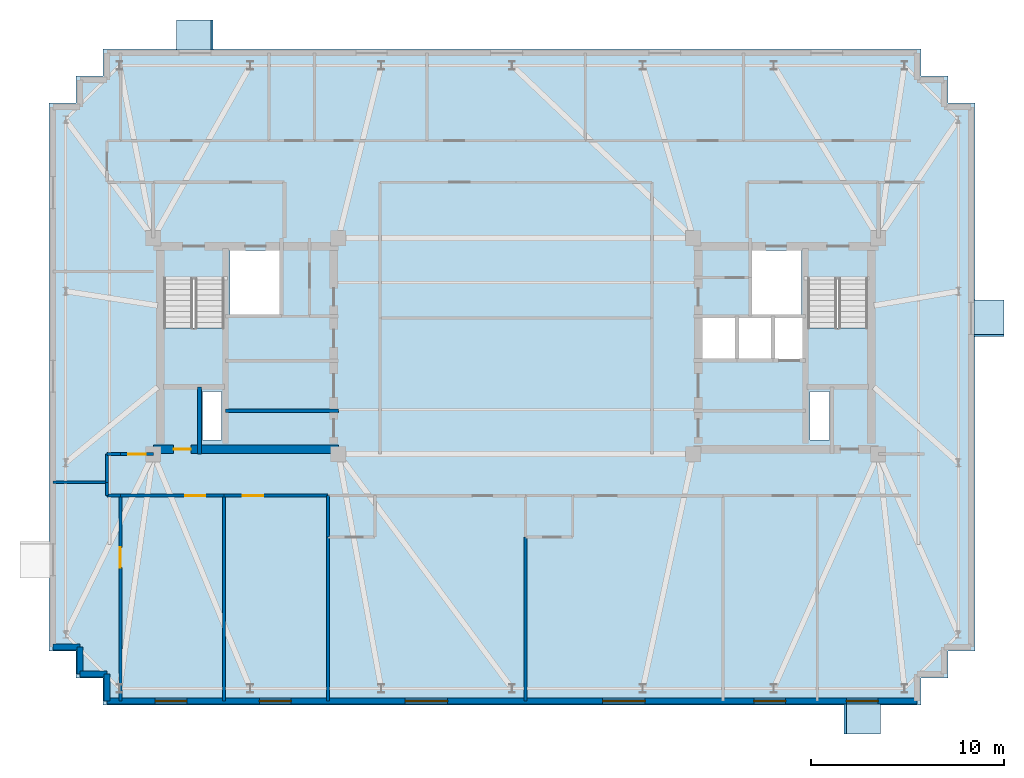
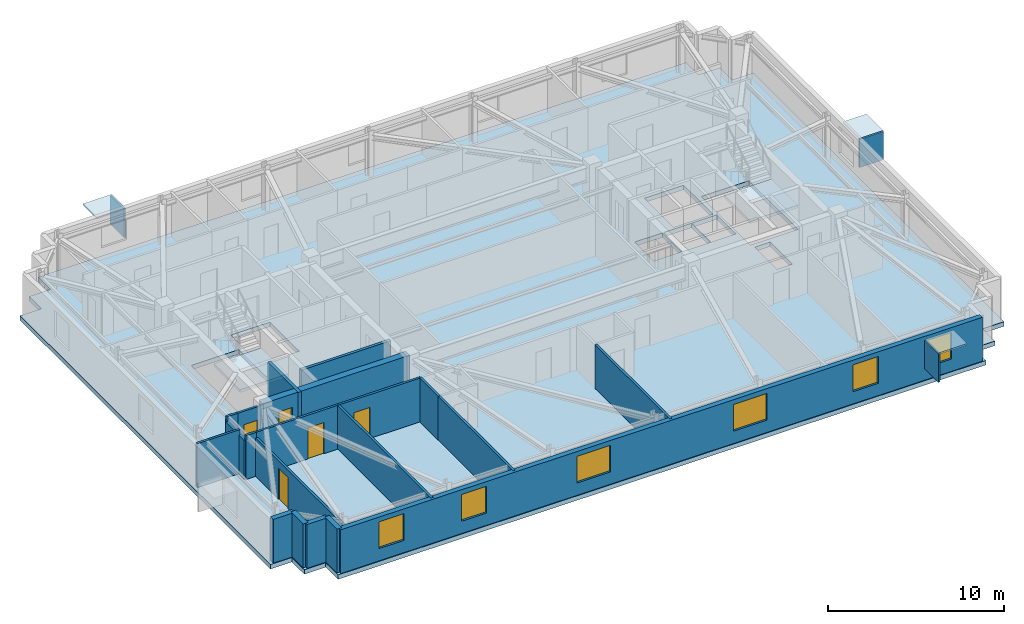
# One storey, part 5 of 11: 21 walls, 6 plates, 6 windows, 5 doors, 3 slabs, 11 openings, 2 elements without a shape of their own.
"""IFC4 building model written with IfcOpenShell, lengths in metres."""

from ifc_helpers import new_model, si_unit, direction, frame, frame_2d, origin, origin_2d, place, context, subcontext, project, spatial, polyline, rectangle, outline, extrude, material, layer, layer_set, type_object, element, fill, aggregate, save


model = new_model("IFC4")

# Units and contexts
model_context = context("Model", 3, precision=1e-05, world=origin(), true_north=direction((0.0, 1.0)))
body_context = subcontext(model_context, "Body", "Model", "MODEL_VIEW")
ifc_project = project(units=[si_unit("LENGTHUNIT", "METRE"), si_unit("AREAUNIT", "SQUARE_METRE"), si_unit("VOLUMEUNIT", "CUBIC_METRE"), si_unit("PLANEANGLEUNIT", "RADIAN"), si_unit("MASSUNIT", "GRAM", prefix="KILO")], contexts=[model_context])

# Site, building, storey
site_placement = place(None, origin())
site = spatial("IfcSite", under=ifc_project, at=site_placement, CompositionType="ELEMENT")
building_placement = place(site_placement, origin())
building = spatial("IfcBuilding", under=site, at=building_placement, Name="Qobustan Lattice House", CompositionType="ELEMENT")
storey_placement = place(building_placement, frame((0.0, 0.0, 258.449951171875)))
storey = spatial("IfcBuildingStorey", under=building, at=storey_placement, Name="L73", CompositionType="ELEMENT", Elevation=258.449951171875)

# Plates
ifc_material_1 = material(Name="Qobustan limestone GFRC", Category="masonry")
ifc_layer_1 = layer(ifc_material_1, 0.1201171875)
ifc_layer_set_1 = layer_set([ifc_layer_1], Name="Qobustan limestone GFRC")
plate_type = type_object("IfcPlateType", Name="SHD-HOOD-BROW", PredefinedType="USERDEFINED", material=ifc_layer_set_1)
plate_1_placement = place(storey_placement, frame((-16.639892578125, 16.1298828125, 2.699951171875), z_axis=(0.0, 0.0, 1.0), x_axis=(1.0, 0.0, 0.0)))
element("IfcPlate", 1, at=plate_1_placement, inside=storey, type_object=plate_type, Name="L73 splayed Qobustan stone hood brow", ObjectType="SUNSHADE", PredefinedType="USERDEFINED", context=body_context, shape_type="SweptSolid", body=[
    extrude(rectangle(XDim=1.889892578125, YDim=1.56005859375, at=origin_2d()), origin(), (0.0, 0.0, 1.0), 0.1201171875),
])
plate_2_placement = place(storey_placement, frame((-15.7548828125, 16.1298828125, 0.7900390625), z_axis=(0.0, 0.0, 1.0), x_axis=(1.0, 0.0, 0.0)))
element("IfcPlate", 2, at=plate_2_placement, inside=storey, type_object=plate_type, Name="L73 splayed Qobustan stone hood cheek", ObjectType="SUNSHADE", PredefinedType="USERDEFINED", context=body_context, shape_type="SweptSolid", body=[
    extrude(rectangle(XDim=0.1201171875, YDim=1.56005859375, at=origin_2d()), origin(), (0.0, 0.0, 1.0), 1.969970703125),
])
plate_3_placement = place(storey_placement, frame((24.530029296875, 1.43994140625, 2.699951171875), z_axis=(0.0, 0.0, 1.0), x_axis=(0.0, -1.0, 0.0)))
element("IfcPlate", 3, at=plate_3_placement, inside=storey, type_object=plate_type, Name="L73 splayed Qobustan stone hood brow", ObjectType="SUNSHADE", PredefinedType="USERDEFINED", context=body_context, shape_type="SweptSolid", body=[
    extrude(rectangle(XDim=1.889892578125, YDim=1.56005859375, at=origin_2d()), origin(), (0.0, 0.0, 1.0), 0.1201171875),
])
plate_4_placement = place(storey_placement, frame((24.530029296875, 0.554931640625, 0.7900390625), z_axis=(0.0, 0.0, 1.0), x_axis=(0.0, -1.0, 0.0)))
element("IfcPlate", 4, at=plate_4_placement, inside=storey, type_object=plate_type, Name="L73 splayed Qobustan stone hood cheek", ObjectType="SUNSHADE", PredefinedType="USERDEFINED", context=body_context, shape_type="SweptSolid", body=[
    extrude(rectangle(XDim=0.1201171875, YDim=1.56005859375, at=origin_2d()), origin(), (0.0, 0.0, 1.0), 1.969970703125),
])
plate_5_placement = place(storey_placement, frame((17.9599609375, -19.330078125, 2.699951171875), z_axis=(0.0, 0.0, 1.0), x_axis=(-1.0, 0.0, 0.0)))
element("IfcPlate", 5, at=plate_5_placement, inside=storey, type_object=plate_type, Name="L73 splayed Qobustan stone hood brow", ObjectType="SUNSHADE", PredefinedType="USERDEFINED", context=body_context, shape_type="SweptSolid", body=[
    extrude(rectangle(XDim=1.889892578125, YDim=1.56005859375, at=origin_2d()), origin(), (0.0, 0.0, 1.0), 0.1201171875),
])
plate_6_placement = place(storey_placement, frame((17.074951171875, -19.330078125, 0.7900390625), z_axis=(0.0, 0.0, 1.0), x_axis=(-1.0, 0.0, 0.0)))
element("IfcPlate", 6, at=plate_6_placement, inside=storey, type_object=plate_type, Name="L73 splayed Qobustan stone hood cheek", ObjectType="SUNSHADE", PredefinedType="USERDEFINED", context=body_context, shape_type="SweptSolid", body=[
    extrude(rectangle(XDim=0.1201171875, YDim=1.56005859375, at=origin_2d()), origin(), (0.0, 0.0, 1.0), 1.969970703125),
])

# Slab
ifc_material_2 = material(Name="Concrete C40/50", Category="concrete")
ifc_layer_2 = layer(ifc_material_2, 0.31005859375)
ifc_layer_set_2 = layer_set([ifc_layer_2], Name="Concrete C40/50")
slab_type_1 = type_object("IfcSlabType", Name="SLB-FLR-310", PredefinedType="FLOOR", material=ifc_layer_set_2)
slab_1_placement = place(storey_placement, frame((0.0, 0.0, -0.31005859375)))
element("IfcSlab", 7, at=slab_1_placement, inside=storey, type_object=slab_type_1, Name="L73 structural floor slab", PredefinedType="FLOOR", context=body_context, shape_type="SweptSolid", body=[
    extrude(outline(polyline([(-21.39990234375, -18.60009765625), (21.0, -18.60009765625), (21.0, -17.199951171875), (22.39990234375, -17.199951171875), (22.39990234375, -15.800048828125), (23.800048828125, -15.800048828125), (23.800048828125, 12.60009765625), (22.39990234375, 12.60009765625), (22.39990234375, 14.0), (21.0, 14.0), (21.0, 15.39990234375), (-21.39990234375, 15.39990234375), (-21.39990234375, 14.0), (-22.800048828125, 14.0), (-22.800048828125, 12.60009765625), (-24.199951171875, 12.60009765625), (-24.199951171875, -15.800048828125), (-22.800048828125, -15.800048828125), (-22.800048828125, -17.199951171875), (-21.39990234375, -17.199951171875), (-21.39990234375, -18.60009765625)]), holes=[polyline([(-18.25, -2.050048828125), (-18.25, 3.489990234375), (-15.1298828125, 3.489990234375), (-15.1298828125, -2.050048828125), (-18.25, -2.050048828125)]), polyline([(15.1298828125, -2.050048828125), (15.1298828125, 3.489990234375), (18.25, 3.489990234375), (18.25, -2.050048828125), (15.1298828125, -2.050048828125)]), polyline([(-14.820068359375, 1.64990234375), (-14.820068359375, 4.9599609375), (-12.25, 4.9599609375), (-12.25, 1.64990234375), (-14.820068359375, 1.64990234375)]), polyline([(12.25, 1.64990234375), (12.25, 4.9599609375), (14.820068359375, 4.9599609375), (14.820068359375, 1.64990234375), (12.25, 1.64990234375)]), polyline([(-16.260009765625, -4.8798828125), (-16.260009765625, -2.360107421875), (-15.260009765625, -2.360107421875), (-15.260009765625, -4.8798828125), (-16.260009765625, -4.8798828125)]), polyline([(15.260009765625, -4.8798828125), (15.260009765625, -2.360107421875), (16.260009765625, -2.360107421875), (16.260009765625, -4.8798828125), (15.260009765625, -4.8798828125)]), polyline([(13.360107421875, -0.679931640625), (13.360107421875, 1.47998046875), (14.97998046875, 1.47998046875), (14.97998046875, -0.679931640625), (13.360107421875, -0.679931640625)]), polyline([(9.6201171875, -0.679931640625), (9.6201171875, 1.47998046875), (11.43994140625, 1.47998046875), (11.43994140625, -0.679931640625), (9.6201171875, -0.679931640625)]), polyline([(11.5, -0.679931640625), (11.5, 1.47998046875), (13.320068359375, 1.47998046875), (13.320068359375, -0.679931640625), (11.5, -0.679931640625)])]), origin(), (0.0, 0.0, 1.0), 0.31005859375),
])

# Stair, slab
ifc_material_3 = material(Name="Concrete C40/50", Category="concrete")
stair_type = type_object("IfcStairType", Name="STR-CORE-DOGLEG", PredefinedType="HALF_TURN_STAIR", material=ifc_material_3)
stair_1_placement = place(storey_placement, origin())
stair_1 = element("IfcStair", 8, at=stair_1_placement, inside=storey, type_object=stair_type, Name="L73 West protected exit stair ST-W1", PredefinedType="HALF_TURN_STAIR")
ifc_material_4 = material(Name="Concrete C40/50", Category="concrete")
ifc_layer_3 = layer(ifc_material_4, 0.199951171875)
ifc_layer_set_3 = layer_set([ifc_layer_3], Name="Concrete C40/50")
slab_type_2 = type_object("IfcSlabType", Name="SLB-LANDING-200", PredefinedType="LANDING", material=ifc_layer_set_3)
slab_2_placement = place(storey_placement, frame((0.0, 0.0, 1.47509765625)))
slab_2 = element("IfcSlab", 9, at=slab_2_placement, type_object=slab_type_2, Name="ST-W1 landing 1", PredefinedType="LANDING", context=body_context, shape_type="SweptSolid", body=[
    extrude(outline(polyline([(-18.25, 0.93505859375), (-18.25, -2.050048828125), (-15.1298828125, -2.050048828125), (-15.1298828125, 0.93505859375), (-18.25, 0.93505859375)])), origin(), (0.0, 0.0, 1.0), 0.199951171875),
])
aggregate(stair_1, [slab_2])

stair_2_placement = place(storey_placement, origin())
stair_2 = element("IfcStair", 10, at=stair_2_placement, inside=storey, type_object=stair_type, Name="L73 East protected exit stair ST-E1", PredefinedType="HALF_TURN_STAIR")
slab_3_placement = place(storey_placement, frame((0.0, 0.0, 1.47509765625)))
slab_3 = element("IfcSlab", 11, at=slab_3_placement, type_object=slab_type_2, Name="ST-E1 landing 1", PredefinedType="LANDING", context=body_context, shape_type="SweptSolid", body=[
    extrude(outline(polyline([(15.1298828125, 0.93505859375), (15.1298828125, -2.050048828125), (18.25, -2.050048828125), (18.25, 0.93505859375), (15.1298828125, 0.93505859375)])), origin(), (0.0, 0.0, 1.0), 0.199951171875),
])
aggregate(stair_2, [slab_3])

# Wall, opening, door
ifc_material_5 = material(Name="Concrete C50/60", Category="concrete")
ifc_layer_4 = layer(ifc_material_5, 0.43994140625)
ifc_layer_set_4 = layer_set([ifc_layer_4], Name="Concrete C50/60")
wall_type_1 = type_object("IfcWallType", Name="WAL-CORE-440", PredefinedType="SHEAR", material=ifc_layer_set_4)
wall_1_placement = place(storey_placement, frame((-18.800048828125, -5.35009765625, 0.0), z_axis=(0.0, 0.0, 1.0), x_axis=(1.0, 0.0, 0.0)))
wall_1 = element("IfcWall", 12, at=wall_1_placement, inside=storey, type_object=wall_type_1, Name="L73 split-core shear wall CW-S", PredefinedType="SHEAR", context=body_context, shape_type="SweptSolid", body=[
    extrude(rectangle(XDim=9.60009765625, YDim=0.43994140625, at=frame_2d((4.800048828125, 0.0))), origin(), (0.0, 0.0, 1.0), 3.030029296875),
])
opening_1_placement = place(wall_1_placement, frame((1.050048828125, 0.0, 0.0)))
opening_1 = element("IfcOpeningElement", 13, at=opening_1_placement, cuts=wall_1, Name="Opening RD-01", PredefinedType="OPENING", context=body_context, shape_type="SweptSolid", body=[
    extrude(rectangle(XDim=0.89990234375, YDim=2.10009765625, at=frame_2d((0.449951171875, 1.050048828125))), frame((0.0, 0.22998046875, 0.0), z_axis=(0.0, -1.0, 0.0), x_axis=(1.0, 0.0, 0.0)), (0.0, 0.0, 1.0), 0.4599609375),
])
ifc_material_6 = material(Name="Persian walnut timber and steel frame door", Category="steel")
door_type_1 = type_object("IfcDoorType", Name="DOR-RISER-FD-900x2100", OperationType="NOTDEFINED", PredefinedType="DOOR", material=ifc_material_6)
door_1_placement = place(opening_1_placement, origin())
door_1 = element("IfcDoor", 14, at=door_1_placement, inside=storey, type_object=door_type_1, Name="L73 core service riser access door W", OperationType="SINGLE_SWING_LEFT", OverallHeight=2.10009765625, OverallWidth=0.89990234375, PredefinedType="DOOR", context=body_context, shape_type="SweptSolid", body=[
    extrude(rectangle(XDim=0.89990234375, YDim=2.10009765625, at=frame_2d((0.449951171875, 1.050048828125))), frame((0.0, 0.02490234375, 0.0), z_axis=(0.0, -1.0, 0.0), x_axis=(1.0, 0.0, 0.0)), (0.0, 0.0, 1.0), 0.050048828125),
])
fill(opening_1, door_1)

# Walls
ifc_material_7 = material(Name="Precast concrete C40/50", Category="concrete")
ifc_layer_5 = layer(ifc_material_7, 0.320068359375)
ifc_layer_set_5 = layer_set([ifc_layer_5], Name="Precast concrete C40/50")
wall_type_2 = type_object("IfcWallType", Name="WAL-EXT-STONE-320", PredefinedType="SOLIDWALL", material=ifc_layer_set_5)
wall_2_placement = place(storey_placement, frame((-21.199951171875, -18.39990234375, 0.0), z_axis=(0.0, 0.0, 1.0), x_axis=(0.0, 1.0, 0.0)))
element("IfcWall", 15, at=wall_2_placement, inside=storey, type_object=wall_type_2, Name="L73 exterior limestone-clad wall 1", PredefinedType="SOLIDWALL", context=body_context, shape_type="SweptSolid", body=[
    extrude(rectangle(XDim=1.39990234375, YDim=0.320068359375, at=frame_2d((0.699951171875, 0.0))), origin(), (0.0, 0.0, 1.0), 3.030029296875),
])
wall_3_placement = place(storey_placement, frame((-21.199951171875, -17.0, 0.0), z_axis=(0.0, 0.0, 1.0), x_axis=(-1.0, 0.0, 0.0)))
element("IfcWall", 16, at=wall_3_placement, inside=storey, type_object=wall_type_2, Name="L73 exterior limestone-clad wall 2", PredefinedType="SOLIDWALL", context=body_context, shape_type="SweptSolid", body=[
    extrude(rectangle(XDim=1.400146484375, YDim=0.320068359375, at=frame_2d((0.7001953125, 0.0))), origin(), (0.0, 0.0, 1.0), 3.030029296875),
])
for number, where, z_axis, x_axis, name in (
    (17, (-22.60009765625, -17.0, 0.0), (0.0, 0.0, 1.0), (0.0, 1.0, 0.0), "L73 exterior limestone-clad wall 3"),
    (18, (-22.60009765625, -15.60009765625, 0.0), (0.0, 0.0, 1.0), (-1.0, 0.0, 0.0), "L73 exterior limestone-clad wall 4"),
):
    element("IfcWall", number, at=place(storey_placement, frame(where, z_axis=z_axis, x_axis=x_axis)), inside=storey, type_object=wall_type_2, Name=name, PredefinedType="SOLIDWALL", context=body_context, shape_type="SweptSolid", body=[
        extrude(rectangle(XDim=1.39990234375, YDim=0.320068359375, at=frame_2d((0.699951171875, 0.0))), origin(), (0.0, 0.0, 1.0), 3.030029296875),
    ])

# Wall, openings, windows
wall_4_placement = place(storey_placement, frame((20.800048828125, -18.39990234375, 0.0), z_axis=(0.0, 0.0, 1.0), x_axis=(-1.0, 0.0, 0.0)))
wall_4 = element("IfcWall", 19, at=wall_4_placement, inside=storey, type_object=wall_type_2, Name="L73 exterior limestone-clad wall 20", PredefinedType="SOLIDWALL", context=body_context, shape_type="SweptSolid", body=[
    extrude(rectangle(XDim=42.0, YDim=0.320068359375, at=frame_2d((21.0, 0.0))), origin(), (0.0, 0.0, 1.0), 3.030029296875),
])
opening_2_placement = place(wall_4_placement, frame((2.014892578125, 0.0, 0.85009765625)))
opening_2 = element("IfcOpeningElement", 20, at=opening_2_placement, cuts=wall_4, Name="Opening WN-09", PredefinedType="OPENING", context=body_context, shape_type="SweptSolid", body=[
    extrude(rectangle(XDim=1.64990234375, YDim=1.85009765625, at=frame_2d((0.824951171875, 0.925048828125))), frame((0.0, 0.169921875, 0.0), z_axis=(0.0, -1.0, 0.0), x_axis=(1.0, 0.0, 0.0)), (0.0, 0.0, 1.0), 0.340087890625),
])
opening_3_placement = place(wall_4_placement, frame((6.81494140625, 0.0, 0.85009765625)))
opening_3 = element("IfcOpeningElement", 21, at=opening_3_placement, cuts=wall_4, Name="Opening WN-09", PredefinedType="OPENING", context=body_context, shape_type="SweptSolid", body=[
    extrude(rectangle(XDim=1.64990234375, YDim=1.85009765625, at=frame_2d((0.824951171875, 0.925048828125))), frame((0.0, 0.169921875, 0.0), z_axis=(0.0, -1.0, 0.0), x_axis=(1.0, 0.0, 0.0)), (0.0, 0.0, 1.0), 0.340087890625),
])
opening_4_placement = place(wall_4_placement, frame((14.10009765625, 0.0, 0.85009765625)))
opening_4 = element("IfcOpeningElement", 22, at=opening_4_placement, cuts=wall_4, Name="Opening WN-03", PredefinedType="OPENING", context=body_context, shape_type="SweptSolid", body=[
    extrude(rectangle(XDim=2.199951171875, YDim=1.85009765625, at=frame_2d((1.10009765625, 0.925048828125))), frame((0.0, 0.169921875, 0.0), z_axis=(0.0, -1.0, 0.0), x_axis=(1.0, 0.0, 0.0)), (0.0, 0.0, 1.0), 0.340087890625),
])
opening_5_placement = place(wall_4_placement, frame((24.340087890625, 0.0, 0.85009765625)))
opening_5 = element("IfcOpeningElement", 23, at=opening_5_placement, cuts=wall_4, Name="Opening WN-03", PredefinedType="OPENING", context=body_context, shape_type="SweptSolid", body=[
    extrude(rectangle(XDim=2.199951171875, YDim=1.85009765625, at=frame_2d((1.10009765625, 0.925048828125))), frame((0.0, 0.169921875, 0.0), z_axis=(0.0, -1.0, 0.0), x_axis=(1.0, 0.0, 0.0)), (0.0, 0.0, 1.0), 0.340087890625),
])
opening_6_placement = place(wall_4_placement, frame((32.455078125, 0.0, 0.85009765625)))
opening_6 = element("IfcOpeningElement", 24, at=opening_6_placement, cuts=wall_4, Name="Opening WN-09", PredefinedType="OPENING", context=body_context, shape_type="SweptSolid", body=[
    extrude(rectangle(XDim=1.64990234375, YDim=1.85009765625, at=frame_2d((0.824951171875, 0.925048828125))), frame((0.0, 0.169921875, 0.0), z_axis=(0.0, -1.0, 0.0), x_axis=(1.0, 0.0, 0.0)), (0.0, 0.0, 1.0), 0.340087890625),
])
opening_7_placement = place(wall_4_placement, frame((37.85498046875, 0.0, 0.85009765625)))
opening_7 = element("IfcOpeningElement", 25, at=opening_7_placement, cuts=wall_4, Name="Opening WN-09", PredefinedType="OPENING", context=body_context, shape_type="SweptSolid", body=[
    extrude(rectangle(XDim=1.64990234375, YDim=1.85009765625, at=frame_2d((0.824951171875, 0.925048828125))), frame((0.0, 0.169921875, 0.0), z_axis=(0.0, -1.0, 0.0), x_axis=(1.0, 0.0, 0.0)), (0.0, 0.0, 1.0), 0.340087890625),
])
ifc_material_8 = material(Name="Double-glazed low-E aluminium window", Category="aluminium")
window_type_1 = type_object("IfcWindowType", Name="WIN-STU-1650x1850", PartitioningType="SINGLE_PANEL", PredefinedType="WINDOW", material=ifc_material_8)
window_1_placement = place(opening_2_placement, origin())
window_1 = element("IfcWindow", 26, at=window_1_placement, inside=storey, type_object=window_type_1, Name="L73 Academic seminar room window", OverallHeight=1.85009765625, OverallWidth=1.64990234375, PartitioningType="SINGLE_PANEL", PredefinedType="WINDOW", context=body_context, shape_type="SweptSolid", body=[
    extrude(rectangle(XDim=1.64990234375, YDim=1.85009765625, at=frame_2d((0.824951171875, 0.925048828125))), frame((0.0, 0.030029296875, 0.0), z_axis=(0.0, -1.0, 0.0), x_axis=(1.0, 0.0, 0.0)), (0.0, 0.0, 1.0), 0.06005859375),
])
fill(opening_2, window_1)
window_2_placement = place(opening_3_placement, origin())
window_2 = element("IfcWindow", 27, at=window_2_placement, inside=storey, type_object=window_type_1, Name="L73 Group study room window", OverallHeight=1.85009765625, OverallWidth=1.64990234375, PartitioningType="SINGLE_PANEL", PredefinedType="WINDOW", context=body_context, shape_type="SweptSolid", body=[
    extrude(rectangle(XDim=1.64990234375, YDim=1.85009765625, at=frame_2d((0.824951171875, 0.925048828125))), frame((0.0, 0.030029296875, 0.0), z_axis=(0.0, -1.0, 0.0), x_axis=(1.0, 0.0, 0.0)), (0.0, 0.0, 1.0), 0.06005859375),
])
fill(opening_3, window_2)
window_3_placement = place(opening_6_placement, origin())
window_3 = element("IfcWindow", 28, at=window_3_placement, inside=storey, type_object=window_type_1, Name="L73 Focus study room S1B window", OverallHeight=1.85009765625, OverallWidth=1.64990234375, PartitioningType="SINGLE_PANEL", PredefinedType="WINDOW", context=body_context, shape_type="SweptSolid", body=[
    extrude(rectangle(XDim=1.64990234375, YDim=1.85009765625, at=frame_2d((0.824951171875, 0.925048828125))), frame((0.0, 0.030029296875, 0.0), z_axis=(0.0, -1.0, 0.0), x_axis=(1.0, 0.0, 0.0)), (0.0, 0.0, 1.0), 0.06005859375),
])
fill(opening_6, window_3)
window_4_placement = place(opening_7_placement, origin())
window_4 = element("IfcWindow", 29, at=window_4_placement, inside=storey, type_object=window_type_1, Name="L73 Focus study room S1A window", OverallHeight=1.85009765625, OverallWidth=1.64990234375, PartitioningType="SINGLE_PANEL", PredefinedType="WINDOW", context=body_context, shape_type="SweptSolid", body=[
    extrude(rectangle(XDim=1.64990234375, YDim=1.85009765625, at=frame_2d((0.824951171875, 0.925048828125))), frame((0.0, 0.030029296875, 0.0), z_axis=(0.0, -1.0, 0.0), x_axis=(1.0, 0.0, 0.0)), (0.0, 0.0, 1.0), 0.06005859375),
])
fill(opening_7, window_4)
ifc_material_9 = material(Name="Double-glazed low-E aluminium window", Category="aluminium")
window_type_2 = type_object("IfcWindowType", Name="WIN-WIDE-2200x1850", PartitioningType="SINGLE_PANEL", PredefinedType="WINDOW", material=ifc_material_9)
window_5_placement = place(opening_4_placement, origin())
window_5 = element("IfcWindow", 30, at=window_5_placement, inside=storey, type_object=window_type_2, Name="L73 Kitchenette and studio apartment L73-S3 window", OverallHeight=1.85009765625, OverallWidth=2.199951171875, PartitioningType="SINGLE_PANEL", PredefinedType="WINDOW", context=body_context, shape_type="SweptSolid", body=[
    extrude(rectangle(XDim=2.199951171875, YDim=1.85009765625, at=frame_2d((1.10009765625, 0.925048828125))), frame((0.0, 0.030029296875, 0.0), z_axis=(0.0, -1.0, 0.0), x_axis=(1.0, 0.0, 0.0)), (0.0, 0.0, 1.0), 0.06005859375),
])
fill(opening_4, window_5)
window_6_placement = place(opening_5_placement, origin())
window_6 = element("IfcWindow", 31, at=window_6_placement, inside=storey, type_object=window_type_2, Name="L73 Kitchenette and studio apartment L73-S2 window", OverallHeight=1.85009765625, OverallWidth=2.199951171875, PartitioningType="SINGLE_PANEL", PredefinedType="WINDOW", context=body_context, shape_type="SweptSolid", body=[
    extrude(rectangle(XDim=2.199951171875, YDim=1.85009765625, at=frame_2d((1.10009765625, 0.925048828125))), frame((0.0, 0.030029296875, 0.0), z_axis=(0.0, -1.0, 0.0), x_axis=(1.0, 0.0, 0.0)), (0.0, 0.0, 1.0), 0.06005859375),
])
fill(opening_5, window_6)

# Walls
ifc_material_10 = material(Name="Gypsum fireboard acoustic partition", Category="gypsum")
ifc_layer_6 = layer(ifc_material_10, 0.179931640625)
ifc_layer_set_6 = layer_set([ifc_layer_6], Name="Gypsum fireboard acoustic partition")
wall_type_3 = type_object("IfcWallType", Name="WAL-FIRE-180", PredefinedType="PARTITIONING", material=ifc_layer_set_6)
wall_5_placement = place(storey_placement, frame((-15.050048828125, -3.35009765625, 0.0), z_axis=(0.0, 0.0, 1.0), x_axis=(1.0, 0.0, 0.0)))
element("IfcWall", 32, at=wall_5_placement, inside=storey, type_object=wall_type_3, Name="L73 interior partition 10", PredefinedType="PARTITIONING", context=body_context, shape_type="SweptSolid", body=[
    extrude(rectangle(XDim=5.85009765625, YDim=0.179931640625, at=frame_2d((2.925048828125, 0.0))), origin(), (0.0, 0.0, 1.0), 2.7451171875),
])
ifc_material_11 = material(Name="Acoustic twin-stud gypsum partition", Category="gypsum")
ifc_layer_7 = layer(ifc_material_11, 0.14990234375)
ifc_layer_set_7 = layer_set([ifc_layer_7], Name="Acoustic twin-stud gypsum partition")
wall_type_4 = type_object("IfcWallType", Name="WAL-PART-150", PredefinedType="PARTITIONING", material=ifc_layer_set_7)
wall_6_placement = place(storey_placement, frame((-20.5, -7.75, 0.0), z_axis=(0.0, 0.0, 1.0), x_axis=(-1.0, 0.0, 0.0)))
element("IfcWall", 33, at=wall_6_placement, inside=storey, type_object=wall_type_4, Name="L73 interior partition 46", PredefinedType="PARTITIONING", context=body_context, shape_type="SweptSolid", body=[
    extrude(rectangle(XDim=0.699951171875, YDim=0.14990234375, at=frame_2d((0.35009765625, 0.0))), origin(), (0.0, 0.0, 1.0), 3.030029296875),
])
wall_7_placement = place(storey_placement, frame((-21.199951171875, -7.75, 0.0), z_axis=(0.0, 0.0, 1.0), x_axis=(0.0, 1.0, 0.0)))
element("IfcWall", 34, at=wall_7_placement, inside=storey, type_object=wall_type_4, Name="L73 interior partition 47", PredefinedType="PARTITIONING", context=body_context, shape_type="SweptSolid", body=[
    extrude(rectangle(XDim=0.68994140625, YDim=0.14990234375, at=frame_2d((0.344970703125, 0.0))), origin(), (0.0, 0.0, 1.0), 2.68505859375),
])

# Wall, opening, door
wall_8_placement = place(storey_placement, frame((-20.5, -5.60009765625, 0.0), z_axis=(0.0, 0.0, 1.0), x_axis=(1.0, 0.0, 0.0)))
wall_8 = element("IfcWall", 35, at=wall_8_placement, inside=storey, type_object=wall_type_4, Name="L73 interior partition 48", PredefinedType="PARTITIONING", context=body_context, shape_type="SweptSolid", body=[
    extrude(rectangle(XDim=1.699951171875, YDim=0.14990234375, at=frame_2d((0.85009765625, 0.0))), origin(), (0.0, 0.0, 1.0), 3.030029296875),
])
opening_8_placement = place(wall_8_placement, frame((0.39990234375, 0.0, 0.0)))
opening_8 = element("IfcOpeningElement", 36, at=opening_8_placement, cuts=wall_8, Name="Opening WD-01", PredefinedType="OPENING", context=body_context, shape_type="SweptSolid", body=[
    extrude(rectangle(XDim=0.89990234375, YDim=2.10009765625, at=frame_2d((0.449951171875, 1.050048828125))), frame((0.0, 0.0849609375, 0.0), z_axis=(0.0, -1.0, 0.0), x_axis=(1.0, 0.0, 0.0)), (0.0, 0.0, 1.0), 0.169921875),
])
ifc_material_12 = material(Name="Persian walnut timber and steel frame door", Category="steel")
door_type_2 = type_object("IfcDoorType", Name="DOR-WET-900x2100", OperationType="NOTDEFINED", PredefinedType="DOOR", material=ifc_material_12)
door_2_placement = place(opening_8_placement, origin())
door_2 = element("IfcDoor", 37, at=door_2_placement, inside=storey, type_object=door_type_2, Name="L73 South-west floor corridor to Focus study room W2 door", OperationType="SINGLE_SWING_LEFT", OverallHeight=2.10009765625, OverallWidth=0.89990234375, PredefinedType="DOOR", context=body_context, shape_type="SweptSolid", body=[
    extrude(rectangle(XDim=0.89990234375, YDim=2.10009765625, at=frame_2d((0.449951171875, 1.050048828125))), frame((0.0, 0.02490234375, 0.0), z_axis=(0.0, -1.0, 0.0), x_axis=(1.0, 0.0, 0.0)), (0.0, 0.0, 1.0), 0.050048828125),
])
fill(opening_8, door_2)

# Walls
wall_9_placement = place(storey_placement, frame((-21.199951171875, -7.06005859375, 0.0), z_axis=(0.0, 0.0, 1.0), x_axis=(0.0, 1.0, 0.0)))
element("IfcWall", 38, at=wall_9_placement, inside=storey, type_object=wall_type_4, Name="L73 interior partition 49", PredefinedType="PARTITIONING", context=body_context, shape_type="SweptSolid", body=[
    extrude(rectangle(XDim=1.4599609375, YDim=0.14990234375, at=frame_2d((0.72998046875, 0.0))), origin(), (0.0, 0.0, 1.0), 2.68505859375),
])
wall_10_placement = place(storey_placement, frame((-21.199951171875, -5.60009765625, 0.0), z_axis=(0.0, 0.0, 1.0), x_axis=(1.0, 0.0, 0.0)))
element("IfcWall", 39, at=wall_10_placement, inside=storey, type_object=wall_type_4, Name="L73 interior partition 50", PredefinedType="PARTITIONING", context=body_context, shape_type="SweptSolid", body=[
    extrude(rectangle(XDim=0.699951171875, YDim=0.14990234375, at=frame_2d((0.35009765625, 0.0))), origin(), (0.0, 0.0, 1.0), 3.030029296875),
])

# Wall, opening, door
wall_11_placement = place(storey_placement, frame((-15.125, -7.75, 0.0), z_axis=(0.0, 0.0, 1.0), x_axis=(-1.0, 0.0, 0.0)))
wall_11 = element("IfcWall", 40, at=wall_11_placement, inside=storey, type_object=wall_type_4, Name="L73 interior partition 51", PredefinedType="PARTITIONING", context=body_context, shape_type="SweptSolid", body=[
    extrude(rectangle(XDim=5.375, YDim=0.14990234375, at=frame_2d((2.6875, 0.0))), origin(), (0.0, 0.0, 1.0), 3.030029296875),
])
opening_9_placement = place(wall_11_placement, frame((0.9755859375, 0.0, 0.0)))
opening_9 = element("IfcOpeningElement", 41, at=opening_9_placement, cuts=wall_11, Name="Opening ID-02", PredefinedType="OPENING", context=body_context, shape_type="SweptSolid", body=[
    extrude(rectangle(XDim=1.050048828125, YDim=2.14990234375, at=frame_2d((0.52490234375, 1.074951171875))), frame((0.0, 0.0849609375, 0.0), z_axis=(0.0, -1.0, 0.0), x_axis=(1.0, 0.0, 0.0)), (0.0, 0.0, 1.0), 0.169921875),
])
ifc_material_13 = material(Name="Persian walnut timber and steel frame door", Category="steel")
door_type_3 = type_object("IfcDoorType", Name="DOR-STUDY-1050x2150", OperationType="NOTDEFINED", PredefinedType="DOOR", material=ifc_material_13)
door_3_placement = place(opening_9_placement, origin())
door_3 = element("IfcDoor", 42, at=door_3_placement, inside=storey, type_object=door_type_3, Name="L73 South-west floor corridor to Focus study room S1A door", OperationType="SINGLE_SWING_RIGHT", OverallHeight=2.14990234375, OverallWidth=1.050048828125, PredefinedType="DOOR", context=body_context, shape_type="SweptSolid", body=[
    extrude(rectangle(XDim=1.050048828125, YDim=2.14990234375, at=frame_2d((0.52490234375, 1.074951171875))), frame((0.0, 0.02490234375, 0.0), z_axis=(0.0, -1.0, 0.0), x_axis=(1.0, 0.0, 0.0)), (0.0, 0.0, 1.0), 0.050048828125),
])
fill(opening_9, door_3)

wall_12_placement = place(storey_placement, frame((-9.75, -7.75, 0.0), z_axis=(0.0, 0.0, 1.0), x_axis=(-1.0, 0.0, 0.0)))
wall_12 = element("IfcWall", 43, at=wall_12_placement, inside=storey, type_object=wall_type_4, Name="L73 interior partition 52", PredefinedType="PARTITIONING", context=body_context, shape_type="SweptSolid", body=[
    extrude(rectangle(XDim=5.375, YDim=0.14990234375, at=frame_2d((2.6875, 0.0))), origin(), (0.0, 0.0, 1.0), 3.030029296875),
])
opening_10_placement = place(wall_12_placement, frame((3.349365234375, 0.0, 0.0)))
opening_10 = element("IfcOpeningElement", 44, at=opening_10_placement, cuts=wall_12, Name="Opening ID-02", PredefinedType="OPENING", context=body_context, shape_type="SweptSolid", body=[
    extrude(rectangle(XDim=1.050048828125, YDim=2.14990234375, at=frame_2d((0.52490234375, 1.074951171875))), frame((0.0, 0.0849609375, 0.0), z_axis=(0.0, -1.0, 0.0), x_axis=(1.0, 0.0, 0.0)), (0.0, 0.0, 1.0), 0.169921875),
])
door_4_placement = place(opening_10_placement, origin())
door_4 = element("IfcDoor", 45, at=door_4_placement, inside=storey, type_object=door_type_3, Name="L73 South-west floor corridor to Focus study room S1B door", OperationType="SINGLE_SWING_LEFT", OverallHeight=2.14990234375, OverallWidth=1.050048828125, PredefinedType="DOOR", context=body_context, shape_type="SweptSolid", body=[
    extrude(rectangle(XDim=1.050048828125, YDim=2.14990234375, at=frame_2d((0.52490234375, 1.074951171875))), frame((0.0, 0.02490234375, 0.0), z_axis=(0.0, -1.0, 0.0), x_axis=(1.0, 0.0, 0.0)), (0.0, 0.0, 1.0), 0.050048828125),
])
fill(opening_10, door_4)

# Wall
wall_13_placement = place(storey_placement, frame((-24.0, -7.06005859375, 0.0), z_axis=(0.0, 0.0, 1.0), x_axis=(1.0, 0.0, 0.0)))
element("IfcWall", 46, at=wall_13_placement, inside=storey, type_object=wall_type_4, Name="L73 interior partition 66", PredefinedType="PARTITIONING", context=body_context, shape_type="SweptSolid", body=[
    extrude(rectangle(XDim=2.800048828125, YDim=0.14990234375, at=frame_2d((1.39990234375, 0.0))), origin(), (0.0, 0.0, 1.0), 3.030029296875),
])

# Wall, opening, door
wall_14_placement = place(storey_placement, frame((-20.5, -7.75, 0.0), z_axis=(0.0, 0.0, 1.0), x_axis=(0.0, -1.0, 0.0)))
wall_14 = element("IfcWall", 47, at=wall_14_placement, inside=storey, type_object=wall_type_4, Name="L73 interior partition 67", PredefinedType="PARTITIONING", context=body_context, shape_type="SweptSolid", body=[
    extrude(rectangle(XDim=10.64990234375, YDim=0.14990234375, at=frame_2d((5.324951171875, 0.0))), origin(), (0.0, 0.0, 1.0), 2.655029296875),
])
opening_11_placement = place(wall_14_placement, frame((2.68994140625, 0.0, 0.0)))
opening_11 = element("IfcOpeningElement", 48, at=opening_11_placement, cuts=wall_14, Name="Opening ID-02", PredefinedType="OPENING", context=body_context, shape_type="SweptSolid", body=[
    extrude(rectangle(XDim=1.050048828125, YDim=2.14990234375, at=frame_2d((0.52490234375, 1.074951171875))), frame((0.0, 0.0849609375, 0.0), z_axis=(0.0, -1.0, 0.0), x_axis=(1.0, 0.0, 0.0)), (0.0, 0.0, 1.0), 0.169921875),
])
door_5_placement = place(opening_11_placement, origin())
door_5 = element("IfcDoor", 49, at=door_5_placement, inside=storey, type_object=door_type_3, Name="L73 Focus study room W1 to Focus study room S1A door", OperationType="SINGLE_SWING_RIGHT", OverallHeight=2.14990234375, OverallWidth=1.050048828125, PredefinedType="DOOR", context=body_context, shape_type="SweptSolid", body=[
    extrude(rectangle(XDim=1.050048828125, YDim=2.14990234375, at=frame_2d((0.52490234375, 1.074951171875))), frame((0.0, 0.02490234375, 0.0), z_axis=(0.0, -1.0, 0.0), x_axis=(1.0, 0.0, 0.0)), (0.0, 0.0, 1.0), 0.050048828125),
])
fill(opening_11, door_5)

# Walls
wall_15_placement = place(storey_placement, frame((-15.125, -7.75, 0.0), z_axis=(0.0, 0.0, 1.0), x_axis=(0.0, -1.0, 0.0)))
element("IfcWall", 50, at=wall_15_placement, inside=storey, type_object=wall_type_4, Name="L73 interior partition 75", PredefinedType="PARTITIONING", context=body_context, shape_type="SweptSolid", body=[
    extrude(rectangle(XDim=10.64990234375, YDim=0.14990234375, at=frame_2d((5.324951171875, 0.0))), origin(), (0.0, 0.0, 1.0), 3.030029296875),
])
for number, where, z_axis, x_axis, name in (
    (51, (-9.75, -9.89990234375, 0.0), (0.0, 0.0, 1.0), (0.0, -1.0, 0.0), "L73 interior partition 76"),
    (52, (0.5, -9.89990234375, 0.0), (0.0, 0.0, 1.0), (0.0, -1.0, 0.0), "L73 interior partition 80"),
):
    element("IfcWall", number, at=place(storey_placement, frame(where, z_axis=z_axis, x_axis=x_axis)), inside=storey, type_object=wall_type_4, Name=name, PredefinedType="PARTITIONING", context=body_context, shape_type="SweptSolid", body=[
        extrude(rectangle(XDim=8.5, YDim=0.14990234375, at=frame_2d((4.25, 0.0))), origin(), (0.0, 0.0, 1.0), 3.030029296875),
    ])
ifc_material_14 = material(Name="Concrete C40/50", Category="concrete")
ifc_layer_8 = layer(ifc_material_14, 0.199951171875)
ifc_layer_set_8 = layer_set([ifc_layer_8], Name="Concrete C40/50")
wall_type_5 = type_object("IfcWallType", Name="WAL-SHAFT-200", PredefinedType="PARTITIONING", material=ifc_layer_set_8)
wall_16_placement = place(storey_placement, frame((-16.39990234375, -5.60009765625, 0.0), z_axis=(0.0, 0.0, 1.0), x_axis=(0.0, 1.0, 0.0)))
element("IfcWall", 53, at=wall_16_placement, inside=storey, type_object=wall_type_5, Name="L73 interior partition 1", PredefinedType="PARTITIONING", context=body_context, shape_type="SweptSolid", body=[
    extrude(rectangle(XDim=3.489990234375, YDim=0.199951171875, at=frame_2d((1.7451171875, 0.0))), origin(), (0.0, 0.0, 1.0), 3.030029296875),
])
ifc_material_15 = material(Name="Moisture-resistant acoustic plumbing wall", Category="gypsum")
ifc_layer_9 = layer(ifc_material_15, 0.14990234375)
ifc_layer_set_9 = layer_set([ifc_layer_9], Name="Moisture-resistant acoustic plumbing wall")
wall_type_6 = type_object("IfcWallType", Name="WAL-WET-150", PredefinedType="PLUMBINGWALL", material=ifc_layer_set_9)
wall_17_placement = place(storey_placement, frame((-9.75, -7.75, 0.0), z_axis=(0.0, 0.0, 1.0), x_axis=(0.0, -1.0, 0.0)))
element("IfcWall", 54, at=wall_17_placement, inside=storey, type_object=wall_type_6, Name="L73 interior partition 77", PredefinedType="PLUMBINGWALL", context=body_context, shape_type="SweptSolid", body=[
    extrude(rectangle(XDim=2.14990234375, YDim=0.14990234375, at=frame_2d((1.074951171875, 0.0))), origin(), (0.0, 0.0, 1.0), 3.030029296875),
])

save(model, "model.ifc")
